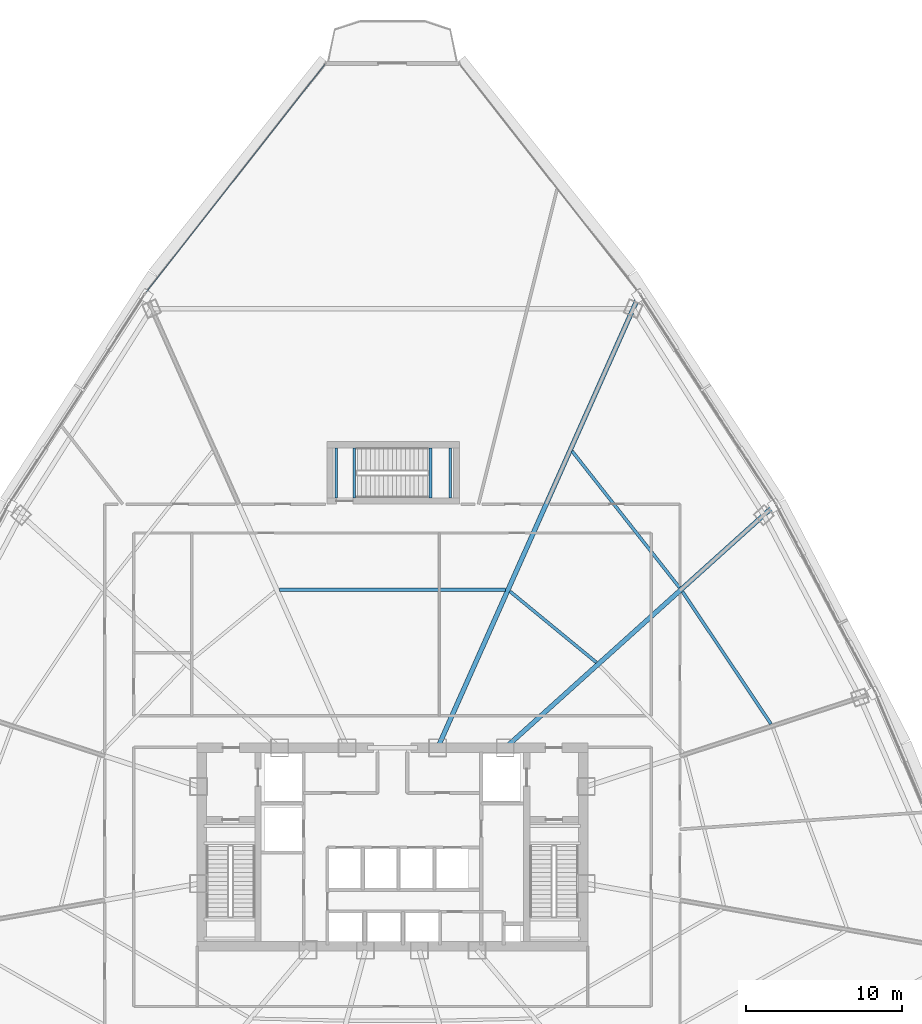
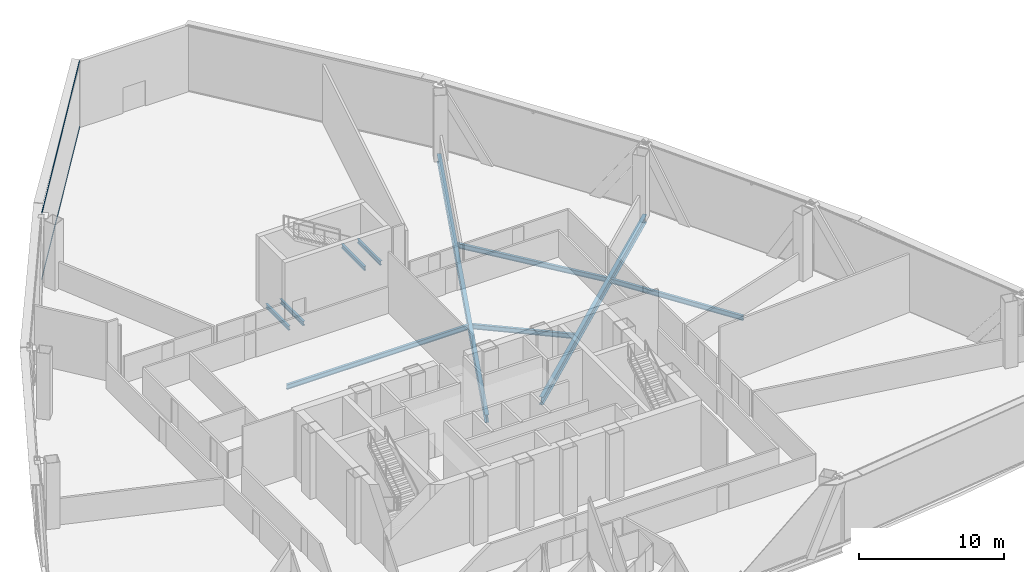
# One storey, part 19 of 40: 10 beams, 2 members, 1 element without a shape of its own.
"""IFC4 building model written with IfcOpenShell, lengths in metres."""

from ifc_helpers import new_model, si_unit, direction, frame, origin, origin_2d, place, context, subcontext, project, spatial, hollow_rectangle, i_section, extrude, source, transform, mapped, material, layer, layer_set, material_profile, profile_set, type_object, element, aggregate, save


model = new_model("IFC4")

# Units and contexts
model_context = context("Model", 3, precision=1e-05, world=origin(), true_north=direction((0.0, 1.0)))
body_context = subcontext(model_context, "Body", "Model", "MODEL_VIEW")
ifc_project = project(units=[si_unit("LENGTHUNIT", "METRE"), si_unit("AREAUNIT", "SQUARE_METRE"), si_unit("VOLUMEUNIT", "CUBIC_METRE"), si_unit("PLANEANGLEUNIT", "RADIAN"), si_unit("MASSUNIT", "GRAM", prefix="KILO"), si_unit("THERMODYNAMICTEMPERATUREUNIT", "KELVIN"), si_unit("POWERUNIT", "WATT")], contexts=[model_context])

# Site, building, storey
site_placement = place(None, origin())
site = spatial("IfcSite", under=ifc_project, at=site_placement, CompositionType="ELEMENT")
building_placement = place(site_placement, origin())
building = spatial("IfcBuilding", under=site, at=building_placement, Name="Yunzhuo Pagoda Commons", CompositionType="ELEMENT")
storey_placement = place(building_placement, frame((0.0, 0.0, 170.31005859375)))
storey = spatial("IfcBuildingStorey", under=building, at=storey_placement, Name="L43", CompositionType="ELEMENT", Elevation=170.31005859375)

# Beams
ifc_material_1 = material(Name="Structural steel Q355B", Category="steel")
ifc_material_profile_1 = material_profile(ifc_material_1, i_section(OverallWidth=0.175048828125, OverallDepth=0.35009765625, WebThickness=0.007080078125, FlangeThickness=0.010986328125, at=origin_2d()), Name="Structural steel Q355B")
ifc_profile_set_1 = profile_set([ifc_material_profile_1], Name="Structural steel Q355B")
beam_type_1 = type_object("IfcBeamType", Name="B-JS2 Joist HN 350x175x7x11", PredefinedType="JOIST", material=ifc_profile_set_1)
shared_shape_1 = source(origin(), body_context, "Body", "SweptSolid", [
    extrude(i_section(OverallWidth=0.175048828125, OverallDepth=0.35009765625, WebThickness=0.007080078125, FlangeThickness=0.010986328125, at=origin_2d()), origin(), (0.0, 0.0, 1.0), 3.199951171875),
])
for number, where, z_axis, x_axis, name in (
    (1, (50.429931640625, 56.199951171875, 2.550048828125), (0.0, 1.0, 0.0), (-1.0, 0.0, 0.0), "L43 ST3 landing support beam 49A"),
    (2, (51.699951171875, 56.199951171875, 2.550048828125), (0.0, 1.0, 0.0), (-1.0, 0.0, 0.0), "L43 ST3 landing support beam 49B"),
    (3, (44.39990234375, 56.199951171875, -0.375), (0.0, 1.0, 0.0), (-1.0, 0.0, 0.0), "L43 ST3 landing support beam 117A"),
    (4, (45.550048828125, 56.199951171875, -0.375), (0.0, 1.0, 0.0), (-1.0, 0.0, 0.0), "L43 ST3 landing support beam 117B"),
):
    element("IfcBeam", number, at=place(storey_placement, frame(where, z_axis=z_axis, x_axis=x_axis)), inside=storey, type_object=beam_type_1, Name=name, PredefinedType="JOIST", context=body_context, shape_type="MappedRepresentation", body=[
        mapped(shared_shape_1, transform((0.0, 0.0, 0.0), scale=1.0)),
    ])
ifc_material_profile_2 = material_profile(ifc_material_1, i_section(OverallWidth=0.199951171875, OverallDepth=0.39990234375, WebThickness=0.008056640625, FlangeThickness=0.012939453125, at=origin_2d()), Name="Structural steel Q355B")
ifc_profile_set_2 = profile_set([ifc_material_profile_2], Name="Structural steel Q355B")
beam_type_2 = type_object("IfcBeamType", Name="B-JS1 Joist HN 400x200x8x13", PredefinedType="JOIST", material=ifc_profile_set_2)
shared_shape_2 = source(origin(), body_context, "Body", "SweptSolid", [
    extrude(i_section(OverallWidth=0.199951171875, OverallDepth=0.39990234375, WebThickness=0.008056640625, FlangeThickness=0.012939453125, at=origin_2d()), origin(), (0.0, 0.0, 1.0), 10.186767578125),
])
beam_1_placement = place(storey_placement, frame((72.221923828125, 41.731201171875, -0.4599609375), z_axis=(-0.555872145938, 0.831267801235, 0.0), x_axis=(-0.831267801235, -0.555872145938, 0.0)))
element("IfcBeam", 5, at=beam_1_placement, inside=storey, type_object=beam_type_2, Name="L43 composite ring joist 2.6", PredefinedType="JOIST", context=body_context, shape_type="MappedRepresentation", body=[
    mapped(shared_shape_2, transform((0.0, 0.0, 0.0), scale=1.0)),
])
shared_shape_3 = source(origin(), body_context, "Body", "SweptSolid", [
    extrude(i_section(OverallWidth=0.199951171875, OverallDepth=0.39990234375, WebThickness=0.008056640625, FlangeThickness=0.012939453125, at=origin_2d()), origin(), (0.0, 0.0, 1.0), 7.163818359375),
])
beam_2_placement = place(storey_placement, frame((61.05322265625, 45.664794921875, -0.4599609375), z_axis=(-0.772234119563, 0.635338071095, 0.0), x_axis=(-0.635338071095, -0.772234119563, 0.0)))
element("IfcBeam", 6, at=beam_2_placement, inside=storey, type_object=beam_type_2, Name="L43 composite ring joist 1.7", PredefinedType="JOIST", context=body_context, shape_type="MappedRepresentation", body=[
    mapped(shared_shape_3, transform((0.0, 0.0, 0.0), scale=1.0)),
])
shared_shape_4 = source(origin(), body_context, "Body", "SweptSolid", [
    extrude(i_section(OverallWidth=0.199951171875, OverallDepth=0.39990234375, WebThickness=0.008056640625, FlangeThickness=0.012939453125, at=origin_2d()), origin(), (0.0, 0.0, 1.0), 11.109375),
])
beam_3_placement = place(storey_placement, frame((66.372802734375, 50.456298828125, -0.4599609375), z_axis=(-0.618600596935, 0.785705607382, 0.0), x_axis=(-0.785705607382, -0.618600596935, 0.0)))
element("IfcBeam", 7, at=beam_3_placement, inside=storey, type_object=beam_type_2, Name="L43 composite ring joist 2.7", PredefinedType="JOIST", context=body_context, shape_type="MappedRepresentation", body=[
    mapped(shared_shape_4, transform((0.0, 0.0, 0.0), scale=1.0)),
])
shared_shape_5 = source(origin(), body_context, "Body", "SweptSolid", [
    extrude(i_section(OverallWidth=0.199951171875, OverallDepth=0.39990234375, WebThickness=0.008056640625, FlangeThickness=0.012939453125, at=origin_2d()), origin(), (0.0, 0.0, 1.0), 14.47900390625),
])
beam_4_placement = place(storey_placement, frame((55.239501953125, 50.317138671875, -0.4599609375), z_axis=(-1.0, 0.0, 0.0), x_axis=(0.0, -1.0, 0.0)))
element("IfcBeam", 8, at=beam_4_placement, inside=storey, type_object=beam_type_2, Name="L43 composite ring joist 1.8", PredefinedType="JOIST", context=body_context, shape_type="MappedRepresentation", body=[
    mapped(shared_shape_5, transform((0.0, 0.0, 0.0), scale=1.0)),
])
ifc_material_profile_3 = material_profile(ifc_material_1, i_section(OverallWidth=0.300048828125, OverallDepth=0.64990234375, WebThickness=0.012939453125, FlangeThickness=0.02197265625, at=origin_2d()), Name="Structural steel Q355B")
ifc_profile_set_3 = profile_set([ifc_material_profile_3], Name="Structural steel Q355B")
beam_type_3 = type_object("IfcBeamType", Name="B-RG2 Beam HN 650x300x13x22", PredefinedType="BEAM", material=ifc_profile_set_3)
shared_shape_6 = source(origin(), body_context, "Body", "SweptSolid", [
    extrude(i_section(OverallWidth=0.300048828125, OverallDepth=0.64990234375, WebThickness=0.012939453125, FlangeThickness=0.02197265625, at=origin_2d()), origin(), (0.0, 0.0, 1.0), 23.161376953125),
])
beam_5_placement = place(storey_placement, frame((72.43115234375, 55.697998046875, -0.5849609375), z_axis=(-0.743141604671, -0.669134183409, 0.0), x_axis=(0.669134183409, -0.743141604671, 0.0)))
element("IfcBeam", 9, at=beam_5_placement, inside=storey, type_object=beam_type_3, Name="L43 radial floor girder F2C3", PredefinedType="BEAM", context=body_context, shape_type="MappedRepresentation", body=[
    mapped(shared_shape_6, transform((0.0, 0.0, 0.0), scale=1.0)),
])
shared_shape_7 = source(origin(), body_context, "Body", "SweptSolid", [
    extrude(i_section(OverallWidth=0.300048828125, OverallDepth=0.64990234375, WebThickness=0.012939453125, FlangeThickness=0.02197265625, at=origin_2d()), origin(), (0.0, 0.0, 1.0), 31.6572265625),
])
beam_6_placement = place(storey_placement, frame((63.770263671875, 69.120361328125, -0.5849609375), z_axis=(-0.406737289237, -0.913545169953, 0.0), x_axis=(0.913545169953, -0.406737289237, 0.0)))
element("IfcBeam", 10, at=beam_6_placement, inside=storey, type_object=beam_type_3, Name="L43 radial floor girder F2C4", PredefinedType="BEAM", context=body_context, shape_type="MappedRepresentation", body=[
    mapped(shared_shape_7, transform((0.0, 0.0, 0.0), scale=1.0)),
])

# Curtain wall, members
ifc_material_2 = material(Name="Anodized aluminium 6063-T6", Category="aluminium")
ifc_layer = layer(ifc_material_2, 0.14990234375)
ifc_layer_set = layer_set([ifc_layer], Name="Anodized aluminium 6063-T6")
curtain_wall_type = type_object("IfcCurtainWallType", Name="CW-MID Mid-Zone Ribbon Curtain Wall", PredefinedType="NOTDEFINED", material=ifc_layer_set)
curtain_wall_placement = place(storey_placement, origin())
curtain_wall = element("IfcCurtainWall", 11, at=curtain_wall_placement, inside=storey, type_object=curtain_wall_type, Name="L43 curtain wall CW-L43-F3B1", PredefinedType="NOTDEFINED")
ifc_material_profile_4 = material_profile(ifc_material_2, hollow_rectangle(XDim=0.054931640625, YDim=0.1298828125, WallThickness=0.00341796875, at=origin_2d()), Name="Anodized aluminium 6063-T6")
ifc_profile_set_4 = profile_set([ifc_material_profile_4], Name="Anodized aluminium 6063-T6")
member_type = type_object("IfcMemberType", Name="CW-MID-T Transom RHS 130x55x3.5", PredefinedType="USERDEFINED", material=ifc_profile_set_4)
shared_shape_8 = source(origin(), body_context, "Body", "SweptSolid", [
    extrude(hollow_rectangle(XDim=0.054931640625, YDim=0.1298828125, WallThickness=0.00341796875, at=origin_2d()), origin(), (0.0, 0.0, 1.0), 18.532470703125),
])
member_1_placement = place(storey_placement, frame((43.687255859375, 83.95068359375, 0.02734375), z_axis=(-0.617131299071, -0.786860190699, 0.0), x_axis=(0.786860190699, -0.617131299071, 0.0)))
member_1 = element("IfcMember", 12, at=member_1_placement, type_object=member_type, Name="CW transom 1.1", ObjectType="TRANSOM", PredefinedType="USERDEFINED", context=body_context, shape_type="MappedRepresentation", body=[
    mapped(shared_shape_8, transform((0.0, 0.0, 0.0), scale=1.0)),
])
member_2_placement = place(storey_placement, frame((43.687255859375, 83.95068359375, 5.54248046875), z_axis=(-0.617131299071, -0.786860190699, 0.0), x_axis=(0.786860190699, -0.617131299071, 0.0)))
member_2 = element("IfcMember", 13, at=member_2_placement, type_object=member_type, Name="CW transom 1.2", ObjectType="TRANSOM", PredefinedType="USERDEFINED", context=body_context, shape_type="MappedRepresentation", body=[
    mapped(shared_shape_8, transform((0.0, 0.0, 0.0), scale=1.0)),
])
aggregate(curtain_wall, [member_1, member_2])

save(model, "model.ifc")
